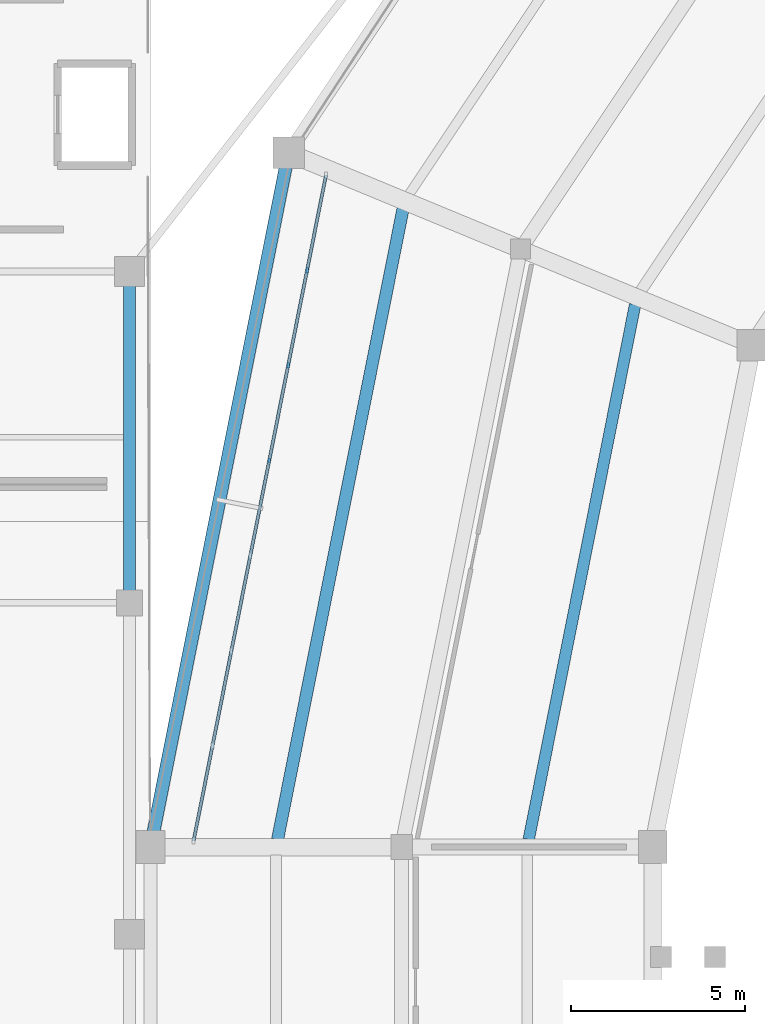
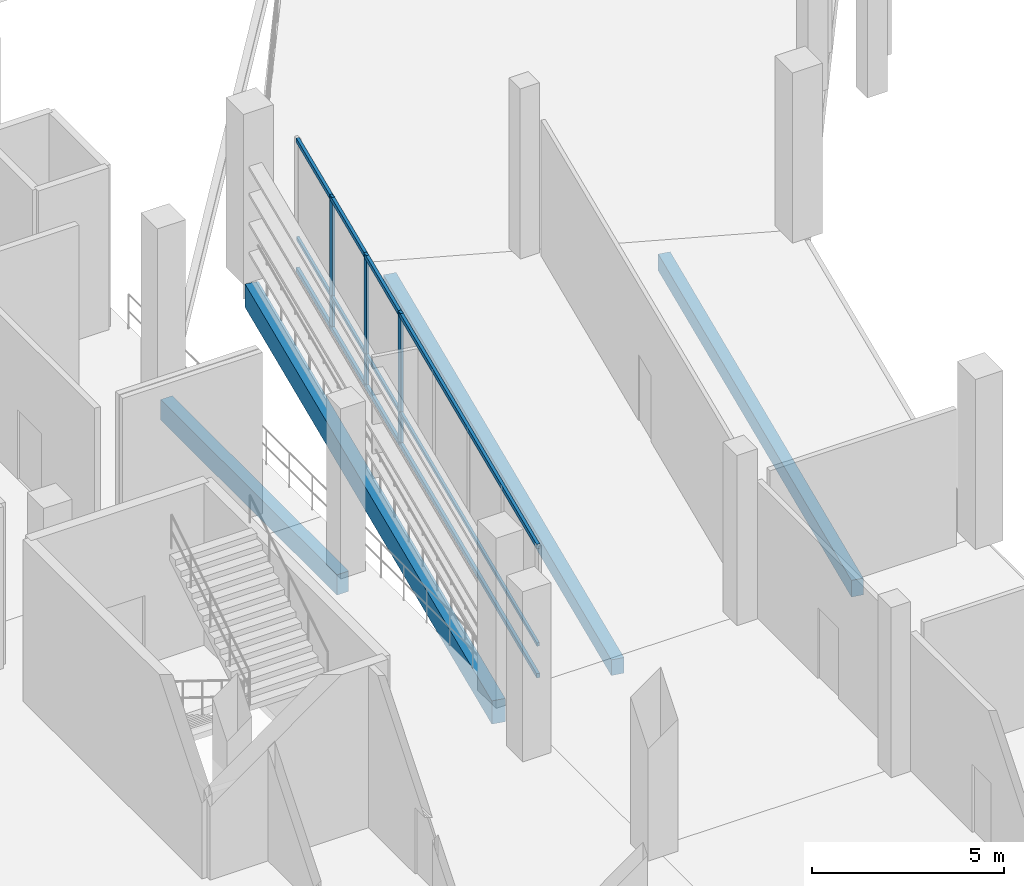
# One storey, part 30 of 114: 6 members, 4 beams, 1 element without a shape of its own.
"""IFC4 building model written with IfcOpenShell, lengths in metres."""

from ifc_helpers import new_model, si_unit, direction, frame, origin, origin_2d, place, context, subcontext, project, spatial, rectangle, extrude, material, material_profile, profile_set, type_object, element, aggregate, save


model = new_model("IFC4")

# Units and contexts
model_context = context("Model", 3, precision=1e-05, world=origin(), true_north=direction((0.0, 1.0)))
body_context = subcontext(model_context, "Body", "Model", "MODEL_VIEW")
ifc_project = project(units=[si_unit("LENGTHUNIT", "METRE"), si_unit("AREAUNIT", "SQUARE_METRE"), si_unit("VOLUMEUNIT", "CUBIC_METRE"), si_unit("PLANEANGLEUNIT", "RADIAN"), si_unit("MASSUNIT", "GRAM", prefix="KILO")], contexts=[model_context])

# Site, building, storey
site_placement = place(None, origin())
site = spatial("IfcSite", under=ifc_project, at=site_placement, CompositionType="ELEMENT")
building_placement = place(site_placement, origin())
building = spatial("IfcBuilding", under=site, at=building_placement, Name="Candeia Ridge Stadium", CompositionType="ELEMENT")
storey_placement = place(building_placement, frame((0.0, 0.0, 5.39990234375)))
storey = spatial("IfcBuildingStorey", under=building, at=storey_placement, Name="L01", CompositionType="ELEMENT", Elevation=5.39990234375)

# Curtain wall, members
ifc_material_1 = material(Name="Aluminium Anodized Warm Bronze", Category="aluminium")
curtain_wall_type = type_object("IfcCurtainWallType", Name="Concourse Recessed Unitised Curtain Wall", PredefinedType="NOTDEFINED", material=ifc_material_1)
curtain_wall_placement = place(storey_placement, origin())
curtain_wall = element("IfcCurtainWall", 1, at=curtain_wall_placement, inside=storey, type_object=curtain_wall_type, Name="Unitised curtain wall CW-BWL-L01-10", PredefinedType="NOTDEFINED")
ifc_material_profile_1 = material_profile(ifc_material_1, rectangle(XDim=0.074951171875, YDim=0.14990234375, at=origin_2d()), Name="CWM-75x150", Category="aluminium")
ifc_profile_set_1 = profile_set([ifc_material_profile_1], Name="Aluminium Anodized Warm Bronze")
member_type_1 = type_object("IfcMemberType", Name="Curtain Wall Secondary Mullion 75x150", PredefinedType="MULLION", material=ifc_profile_set_1)
member_1_placement = place(storey_placement, frame((23.489501953125, 111.537109375, 0.0), z_axis=(0.0, 0.0, 1.0), x_axis=(1.0, 0.0, 0.0)))
member_1 = element("IfcMember", 2, at=member_1_placement, type_object=member_type_1, Name="Curtain wall mullion CW-BWL-L01-10-M1", PredefinedType="MULLION", context=body_context, shape_type="SweptSolid", body=[
    extrude(rectangle(XDim=0.074951171875, YDim=0.14990234375, at=origin_2d()), origin(), (0.0, 0.0, 1.0), 4.2451171875),
])
member_2_placement = place(storey_placement, frame((22.947021484375, 108.810302734375, 0.0), z_axis=(0.0, 0.0, 1.0), x_axis=(1.0, 0.0, 0.0)))
member_2 = element("IfcMember", 3, at=member_2_placement, type_object=member_type_1, Name="Curtain wall mullion CW-BWL-L01-10-M2", PredefinedType="MULLION", context=body_context, shape_type="SweptSolid", body=[
    extrude(rectangle(XDim=0.074951171875, YDim=0.14990234375, at=origin_2d()), origin(), (0.0, 0.0, 1.0), 4.2451171875),
])
member_3_placement = place(storey_placement, frame((22.404541015625, 106.08349609375, 0.0), z_axis=(0.0, 0.0, 1.0), x_axis=(1.0, 0.0, 0.0)))
member_3 = element("IfcMember", 4, at=member_3_placement, type_object=member_type_1, Name="Curtain wall mullion CW-BWL-L01-10-M3", PredefinedType="MULLION", context=body_context, shape_type="SweptSolid", body=[
    extrude(rectangle(XDim=0.074951171875, YDim=0.14990234375, at=origin_2d()), origin(), (0.0, 0.0, 1.0), 4.2451171875),
])
ifc_material_profile_2 = material_profile(ifc_material_1, rectangle(XDim=0.074951171875, YDim=0.110107421875, at=origin_2d()), Name="CWT-75x110", Category="aluminium")
ifc_profile_set_2 = profile_set([ifc_material_profile_2], Name="Aluminium Anodized Warm Bronze")
member_type_2 = type_object("IfcMemberType", Name="Curtain Wall Secondary Transom 75x110", PredefinedType="USERDEFINED", material=ifc_profile_set_2)
member_4_placement = place(storey_placement, frame((24.03173828125, 114.263916015625, 1.061279296875), z_axis=(-0.195085896803, -0.980786160623, 0.0), x_axis=(0.980786160623, -0.195085896803, 0.0)))
member_4 = element("IfcMember", 5, at=member_4_placement, type_object=member_type_2, Name="Curtain wall transom CW-BWL-L01-10-T1", ObjectType="TRANSOM", PredefinedType="USERDEFINED", context=body_context, shape_type="SweptSolid", body=[
    extrude(rectangle(XDim=0.074951171875, YDim=0.110107421875, at=origin_2d()), origin(), (0.0, 0.0, 1.0), 19.46142578125),
])
ifc_material_profile_3 = material_profile(ifc_material_1, rectangle(XDim=0.090087890625, YDim=0.139892578125, at=origin_2d()), Name="CWT-90x140", Category="aluminium")
ifc_profile_set_3 = profile_set([ifc_material_profile_3], Name="Aluminium Anodized Warm Bronze")
member_type_3 = type_object("IfcMemberType", Name="Curtain Wall Transom 90x140", PredefinedType="USERDEFINED", material=ifc_profile_set_3)
member_5_placement = place(storey_placement, frame((24.03173828125, 114.263916015625, 0.070068359375), z_axis=(-0.195085896803, -0.980786160623, 0.0), x_axis=(0.980786160623, -0.195085896803, 0.0)))
member_5 = element("IfcMember", 6, at=member_5_placement, type_object=member_type_3, Name="Curtain wall transom CW-BWL-L01-10-T0", ObjectType="TRANSOM", PredefinedType="USERDEFINED", context=body_context, shape_type="SweptSolid", body=[
    extrude(rectangle(XDim=0.090087890625, YDim=0.139892578125, at=origin_2d()), origin(), (0.0, 0.0, 1.0), 19.46142578125),
])
member_6_placement = place(storey_placement, frame((24.03173828125, 114.263916015625, 4.175048828125), z_axis=(-0.195085896803, -0.980786160623, 0.0), x_axis=(0.980786160623, -0.195085896803, 0.0)))
member_6 = element("IfcMember", 7, at=member_6_placement, type_object=member_type_3, Name="Curtain wall transom CW-BWL-L01-10-T2", ObjectType="TRANSOM", PredefinedType="USERDEFINED", context=body_context, shape_type="SweptSolid", body=[
    extrude(rectangle(XDim=0.090087890625, YDim=0.139892578125, at=origin_2d()), origin(), (0.0, 0.0, 1.0), 19.46142578125),
])
aggregate(curtain_wall, [member_1, member_2, member_3, member_5, member_4, member_6])

# Beams
ifc_material_2 = material(Name="Concrete C40/50", Category="concrete")
ifc_material_profile_4 = material_profile(ifc_material_2, rectangle(XDim=0.330078125, YDim=0.530029296875, at=origin_2d()), Name="RC330x530", Category="concrete")
ifc_profile_set_4 = profile_set([ifc_material_profile_4], Name="Concrete C40/50")
beam_type_1 = type_object("IfcBeamType", Name="Floor Joist RC330x530", PredefinedType="JOIST", material=ifc_profile_set_4)
beam_1_placement = place(storey_placement, frame((32.892822265625, 110.548828125, -0.52490234375), z_axis=(-0.195091809076, -0.980784984607, 0.0), x_axis=(0.980784984607, -0.195091809076, 0.0)))
element("IfcBeam", 8, at=beam_1_placement, inside=storey, type_object=beam_type_1, Name="Concourse secondary joist BM-L01-0121", PredefinedType="JOIST", context=body_context, shape_type="SweptSolid", body=[
    extrude(rectangle(XDim=0.330078125, YDim=0.530029296875, at=origin_2d()), origin(), (0.0, 0.0, 1.0), 15.63134765625),
])
ifc_material_profile_5 = material_profile(ifc_material_2, rectangle(XDim=0.35009765625, YDim=0.5, at=origin_2d()), Name="RC350x500", Category="concrete")
ifc_profile_set_5 = profile_set([ifc_material_profile_5], Name="Concrete C40/50")
beam_type_2 = type_object("IfcBeamType", Name="Floor Joist RC350x500", PredefinedType="JOIST", material=ifc_profile_set_5)
beam_2_placement = place(storey_placement, frame((26.240966796875, 113.30419921875, -0.510009765625), z_axis=(-0.195092537954, -0.980784839623, 0.0), x_axis=(0.980784839623, -0.195092537954, 0.0)))
element("IfcBeam", 9, at=beam_2_placement, inside=storey, type_object=beam_type_2, Name="Concourse secondary joist BM-L01-0122", PredefinedType="JOIST", context=body_context, shape_type="SweptSolid", body=[
    extrude(rectangle(XDim=0.35009765625, YDim=0.5, at=origin_2d()), origin(), (0.0, 0.0, 1.0), 18.440673828125),
])
ifc_material_profile_6 = material_profile(ifc_material_2, rectangle(XDim=0.35009765625, YDim=0.64990234375, at=origin_2d()), Name="RC350x650", Category="concrete")
ifc_profile_set_6 = profile_set([ifc_material_profile_6], Name="Concrete C40/50")
beam_type_3 = type_object("IfcBeamType", Name="Spandrel Beam RC350x650", PredefinedType="SPANDREL", material=ifc_profile_set_6)
beam_3_placement = place(storey_placement, frame((18.39990234375, 102.159912109375, -0.5849609375), z_axis=(0.0, 1.0, 0.0), x_axis=(-1.0, 0.0, 0.0)))
element("IfcBeam", 10, at=beam_3_placement, inside=storey, type_object=beam_type_3, Name="Structural girder BM-L01-1067", PredefinedType="SPANDREL", context=body_context, shape_type="SweptSolid", body=[
    extrude(rectangle(XDim=0.35009765625, YDim=0.64990234375, at=origin_2d()), origin(), (0.0, 0.0, 1.0), 9.18017578125),
])
ifc_material_3 = material(Name="Concrete C45/55", Category="concrete")
ifc_material_profile_7 = material_profile(ifc_material_3, rectangle(XDim=0.3701171875, YDim=0.739990234375, at=origin_2d()), Name="RC370x740", Category="concrete")
ifc_profile_set_7 = profile_set([ifc_material_profile_7], Name="Concrete C45/55")
beam_type_4 = type_object("IfcBeamType", Name="Spandrel Beam RC370x740", PredefinedType="SPANDREL", material=ifc_profile_set_7)
beam_4_placement = place(storey_placement, frame((22.927001953125, 114.74267578125, -0.6298828125), z_axis=(-0.195086242929, -0.980786091775, 0.0), x_axis=(0.980786091775, -0.195086242929, 0.0)))
element("IfcBeam", 11, at=beam_4_placement, inside=storey, type_object=beam_type_4, Name="Bowl perimeter spandrel BM-L01-0120", PredefinedType="SPANDREL", context=body_context, shape_type="SweptSolid", body=[
    extrude(rectangle(XDim=0.3701171875, YDim=0.739990234375, at=origin_2d()), origin(), (0.0, 0.0, 1.0), 19.969482421875),
])

save(model, "model.ifc")
